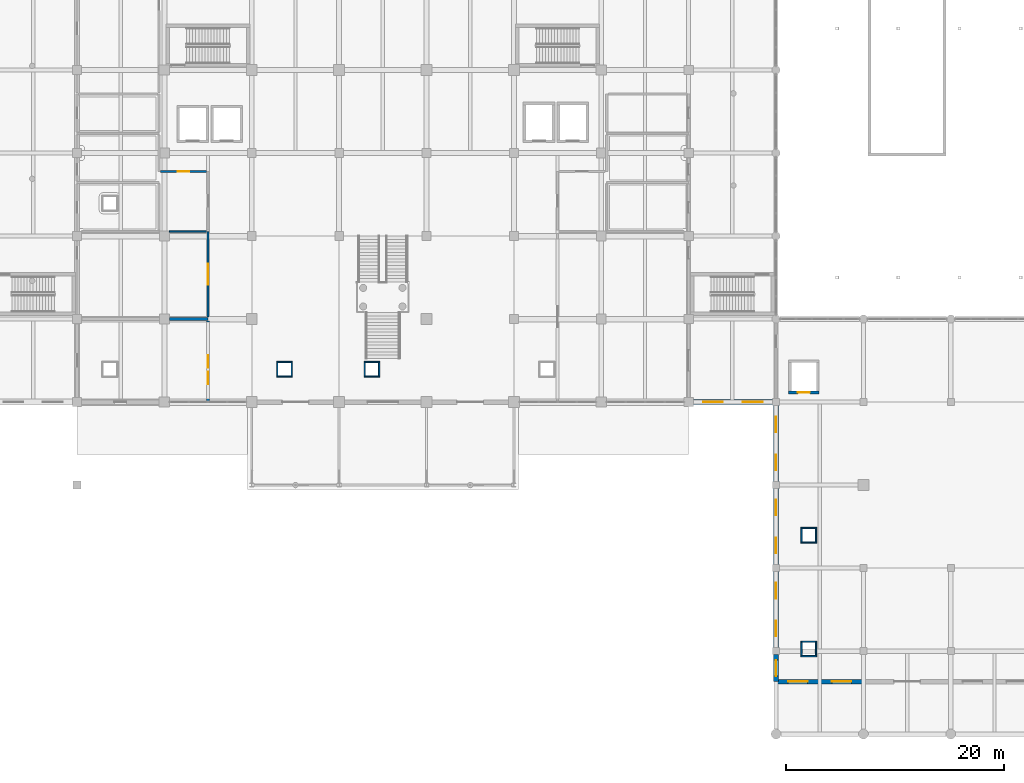
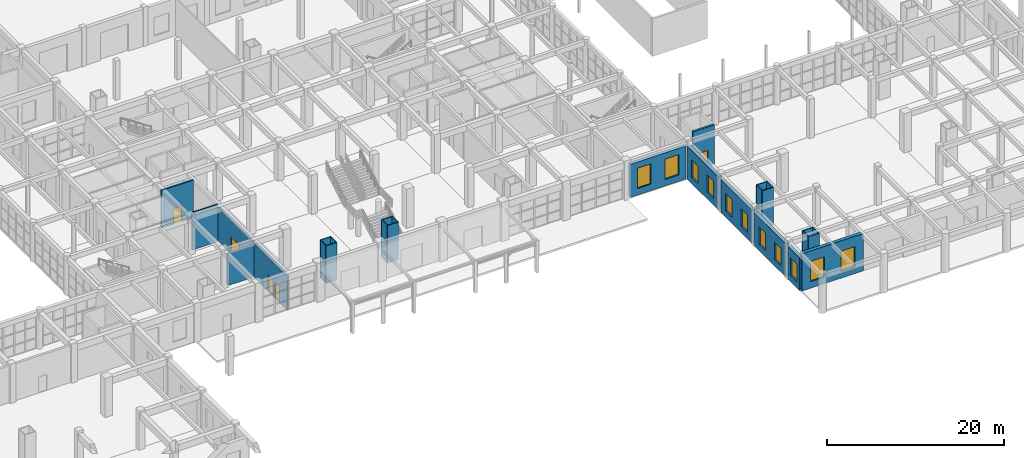
# One storey, part 72 of 95: 28 walls, 11 windows, 5 doors, 16 openings.
"""IFC4 building model written with IfcOpenShell, lengths in metres."""

from ifc_helpers import new_model, si_unit, direction, frame, frame_2d, origin, place, context, subcontext, project, spatial, rectangle, extrude, material, layer, layer_set, type_object, element, fill, save


model = new_model("IFC4")

# Units and contexts
model_context = context("Model", 3, precision=1e-05, world=origin(), true_north=direction((0.0, 1.0)))
body_context = subcontext(model_context, "Body", "Model", "MODEL_VIEW")
ifc_project = project(units=[si_unit("LENGTHUNIT", "METRE"), si_unit("AREAUNIT", "SQUARE_METRE"), si_unit("VOLUMEUNIT", "CUBIC_METRE"), si_unit("PLANEANGLEUNIT", "RADIAN"), si_unit("MASSUNIT", "GRAM", prefix="KILO")], contexts=[model_context])

# Site, building, storey
site_placement = place(None, origin())
site = spatial("IfcSite", under=ifc_project, at=site_placement, CompositionType="ELEMENT")
building_placement = place(site_placement, origin())
building = spatial("IfcBuilding", under=site, at=building_placement, Name="Zantavel Square City Hall", CompositionType="ELEMENT")
storey_placement = place(building_placement, origin())
storey = spatial("IfcBuildingStorey", under=building, at=storey_placement, Name="L01", CompositionType="ELEMENT", Elevation=0.0)

# Wall
ifc_material_1 = material(Name="Concrete C35/45", Category="concrete")
ifc_layer_1 = layer(ifc_material_1, 0.280029296875, Name="Concrete C35/45")
ifc_layer_set_1 = layer_set([ifc_layer_1], Name="Concrete C35/45")
wall_type_1 = type_object("IfcWallType", Name="Archive & Substation Vault Wall 280mm", PredefinedType="STANDARD", material=ifc_layer_set_1)
wall_1_placement = place(storey_placement, frame((64.4599609375, 38.0, 0.0), z_axis=(0.0, 0.0, 1.0), x_axis=(1.0, 0.0, 0.0)))
element("IfcWall", 1, at=wall_1_placement, inside=storey, type_object=wall_type_1, Name="L01 Interior Wall IW-L01-0120", PredefinedType="STANDARD", context=body_context, shape_type="SweptSolid", body=[
    extrude(rectangle(XDim=3.5400390625, YDim=0.280029296875, at=frame_2d((1.77001953125, 0.0))), origin(), (0.0, 0.0, 1.0), 4.360107421875),
])

# Wall, openings, doors
wall_2_placement = place(storey_placement, frame((68.0, 37.81005859375, 0.0), z_axis=(0.0, 0.0, 1.0), x_axis=(0.0, -1.0, 0.0)))
wall_2 = element("IfcWall", 2, at=wall_2_placement, inside=storey, type_object=wall_type_1, Name="L01 Interior Wall IW-L01-0122", PredefinedType="STANDARD", context=body_context, shape_type="SweptSolid", body=[
    extrude(rectangle(XDim=7.41015625, YDim=0.280029296875, at=frame_2d((3.705078125, 0.0))), origin(), (0.0, 0.0, 1.0), 4.659912109375),
])
opening_1_placement = place(wall_2_placement, frame((3.1298828125, 0.0, 0.0)))
opening_1 = element("IfcOpeningElement", 3, at=opening_1_placement, cuts=wall_2, Name="Opening D-0046", PredefinedType="OPENING", context=body_context, shape_type="SweptSolid", body=[
    extrude(rectangle(XDim=1.14990234375, YDim=2.199951171875, at=frame_2d((0.574951171875, 1.10009765625))), frame((0.0, 0.14990234375, 0.0), z_axis=(0.0, -1.0, 0.0), x_axis=(1.0, 0.0, 0.0)), (0.0, 0.0, 1.0), 0.300048828125),
])
opening_2_placement = place(wall_2_placement, frame((4.6298828125, 0.0, 0.0)))
opening_2 = element("IfcOpeningElement", 4, at=opening_2_placement, cuts=wall_2, Name="Opening D-0069", PredefinedType="OPENING", context=body_context, shape_type="SweptSolid", body=[
    extrude(rectangle(XDim=1.14990234375, YDim=2.199951171875, at=frame_2d((0.574951171875, 1.10009765625))), frame((0.0, 0.14990234375, 0.0), z_axis=(0.0, -1.0, 0.0), x_axis=(1.0, 0.0, 0.0)), (0.0, 0.0, 1.0), 0.300048828125),
])
ifc_material_2 = material(Name="Steel ASTM A500 Grade B", Category="steel")
door_type_1 = type_object("IfcDoorType", Name="Archive & Plant Fire Door 1150x2200 FD90S", OperationType="NOTDEFINED", PredefinedType="DOOR", material=ifc_material_2)
door_1_placement = place(opening_1_placement, origin())
door_1 = element("IfcDoor", 5, at=door_1_placement, inside=storey, type_object=door_type_1, Name="L01 Fire Control Room Door", OperationType="SINGLE_SWING_RIGHT", OverallHeight=2.199951171875, OverallWidth=1.14990234375, PredefinedType="DOOR", context=body_context, shape_type="SweptSolid", body=[
    extrude(rectangle(XDim=1.14990234375, YDim=2.199951171875, at=frame_2d((0.574951171875, 1.10009765625))), frame((0.0, 0.02490234375, 0.0), z_axis=(0.0, -1.0, 0.0), x_axis=(1.0, 0.0, 0.0)), (0.0, 0.0, 1.0), 0.050048828125),
])
fill(opening_1, door_1)
door_2_placement = place(opening_2_placement, origin())
door_2 = element("IfcDoor", 6, at=door_2_placement, inside=storey, type_object=door_type_1, Name="L01 Fire Control Room Door", OperationType="SINGLE_SWING_LEFT", OverallHeight=2.199951171875, OverallWidth=1.14990234375, PredefinedType="DOOR", context=body_context, shape_type="SweptSolid", body=[
    extrude(rectangle(XDim=1.14990234375, YDim=2.199951171875, at=frame_2d((0.574951171875, 1.10009765625))), frame((0.0, 0.02490234375, 0.0), z_axis=(0.0, -1.0, 0.0), x_axis=(1.0, 0.0, 0.0)), (0.0, 0.0, 1.0), 0.050048828125),
])
fill(opening_2, door_2)

# Wall
ifc_material_3 = material(Name="Gypsum acoustic stud assembly", Category="masonry")
ifc_layer_2 = layer(ifc_material_3, 0.14990234375, Name="Gypsum acoustic stud assembly")
ifc_layer_set_2 = layer_set([ifc_layer_2], Name="Gypsum acoustic stud assembly")
wall_type_2 = type_object("IfcWallType", Name="Department Office Partition 150mm", PredefinedType="PARTITIONING", material=ifc_layer_set_2)
wall_3_placement = place(storey_placement, frame((64.4599609375, 46.0, 0.0), z_axis=(0.0, 0.0, 1.0), x_axis=(1.0, 0.0, 0.0)))
element("IfcWall", 7, at=wall_3_placement, inside=storey, type_object=wall_type_2, Name="L01 Interior Wall IW-L01-0125", PredefinedType="PARTITIONING", context=body_context, shape_type="SweptSolid", body=[
    extrude(rectangle(XDim=3.39013671875, YDim=0.14990234375, at=frame_2d((1.695068359375, 0.0))), origin(), (0.0, 0.0, 1.0), 5.159912109375),
])

# Wall, opening, door
ifc_material_4 = material(Name="Cantera volcanic tuff stone", Category="masonry")
ifc_layer_3 = layer(ifc_material_4, 0.199951171875, Name="Cantera volcanic tuff stone")
ifc_layer_set_3 = layer_set([ifc_layer_3], Name="Cantera volcanic tuff stone")
wall_type_3 = type_object("IfcWallType", Name="Exit Corridor Rated Wall 200mm", PredefinedType="STANDARD", material=ifc_layer_set_3)
wall_4_placement = place(storey_placement, frame((68.0, 46.0, 0.0), z_axis=(0.0, 0.0, 1.0), x_axis=(0.0, -1.0, 0.0)))
wall_4 = element("IfcWall", 8, at=wall_4_placement, inside=storey, type_object=wall_type_3, Name="L01 Interior Wall IW-L01-0124", PredefinedType="STANDARD", context=body_context, shape_type="SweptSolid", body=[
    extrude(rectangle(XDim=7.81005859375, YDim=0.199951171875, at=frame_2d((3.905029296875, 0.0))), origin(), (0.0, 0.0, 1.0), 4.659912109375),
])
opening_3_placement = place(wall_4_placement, frame((2.955078125, 0.0, 0.0)))
opening_3 = element("IfcOpeningElement", 9, at=opening_3_placement, cuts=wall_4, Name="Opening D-0048", PredefinedType="OPENING", context=body_context, shape_type="SweptSolid", body=[
    extrude(rectangle(XDim=1.89990234375, YDim=2.39990234375, at=frame_2d((0.949951171875, 1.199951171875))), frame((0.0, 0.10986328125, 0.0), z_axis=(0.0, -1.0, 0.0), x_axis=(1.0, 0.0, 0.0)), (0.0, 0.0, 1.0), 0.219970703125),
])
ifc_material_5 = material(Name="Solid oak hardwood", Category="wood")
door_type_2 = type_object("IfcDoorType", Name="Civic Hall Oak Fire Double Door 1900x2400 FD60S", OperationType="NOTDEFINED", PredefinedType="DOOR", material=ifc_material_5)
door_3_placement = place(opening_3_placement, origin())
door_3 = element("IfcDoor", 10, at=door_3_placement, inside=storey, type_object=door_type_2, Name="L01 Public Reception and Civic Security Hall Door", OperationType="DOUBLE_DOOR_SINGLE_SWING", OverallHeight=2.39990234375, OverallWidth=1.89990234375, PredefinedType="DOOR", context=body_context, shape_type="SweptSolid", body=[
    extrude(rectangle(XDim=1.89990234375, YDim=2.39990234375, at=frame_2d((0.949951171875, 1.199951171875))), frame((0.0, 0.02490234375, 0.0), z_axis=(0.0, -1.0, 0.0), x_axis=(1.0, 0.0, 0.0)), (0.0, 0.0, 1.0), 0.050048828125),
])
fill(opening_3, door_3)

wall_5_placement = place(storey_placement, frame((67.85009765625, 51.5, 0.0), z_axis=(0.0, 0.0, 1.0), x_axis=(-1.0, 0.0, 0.0)))
wall_5 = element("IfcWall", 11, at=wall_5_placement, inside=storey, type_object=wall_type_3, Name="L01 Interior Wall IW-L01-0154", PredefinedType="STANDARD", context=body_context, shape_type="SweptSolid", body=[
    extrude(rectangle(XDim=4.2001953125, YDim=0.199951171875, at=frame_2d((2.10009765625, 0.0))), origin(), (0.0, 0.0, 1.0), 5.159912109375),
])
opening_4_placement = place(wall_5_placement, frame((1.574951171875, 0.0, 0.0)))
opening_4 = element("IfcOpeningElement", 12, at=opening_4_placement, cuts=wall_5, Name="Opening D-0061", PredefinedType="OPENING", context=body_context, shape_type="SweptSolid", body=[
    extrude(rectangle(XDim=1.050048828125, YDim=2.14990234375, at=frame_2d((0.52490234375, 1.074951171875))), frame((0.0, 0.10986328125, 0.0), z_axis=(0.0, -1.0, 0.0), x_axis=(1.0, 0.0, 0.0)), (0.0, 0.0, 1.0), 0.219970703125),
])
door_type_3 = type_object("IfcDoorType", Name="Corridor Office Oak Fire Door 1050x2150 FD60S", OperationType="NOTDEFINED", PredefinedType="DOOR", material=ifc_material_5)
door_4_placement = place(opening_4_placement, origin())
door_4 = element("IfcDoor", 13, at=door_4_placement, inside=storey, type_object=door_type_3, Name="L01 L01 Municipal Support Office 7 Door", OperationType="SINGLE_SWING_LEFT", OverallHeight=2.14990234375, OverallWidth=1.050048828125, PredefinedType="DOOR", context=body_context, shape_type="SweptSolid", body=[
    extrude(rectangle(XDim=1.050048828125, YDim=2.14990234375, at=frame_2d((0.52490234375, 1.074951171875))), frame((0.0, 0.02490234375, 0.0), z_axis=(0.0, -1.0, 0.0), x_axis=(1.0, 0.0, 0.0)), (0.0, 0.0, 1.0), 0.050048828125),
])
fill(opening_4, door_4)

ifc_material_6 = material(Name="Concrete C40/50", Category="concrete")
ifc_layer_4 = layer(ifc_material_6, 0.25, Name="Concrete C40/50")
ifc_layer_set_4 = layer_set([ifc_layer_4], Name="Concrete C40/50")
wall_type_4 = type_object("IfcWallType", Name="Lift Shaft Wall RC 250mm C40/50", PredefinedType="SHEAR", material=ifc_layer_set_4)
wall_6_placement = place(storey_placement, frame((123.949951171875, 31.27490234375, 0.0), z_axis=(0.0, 0.0, 1.0), x_axis=(-1.0, 0.0, 0.0)))
wall_6 = element("IfcWall", 14, at=wall_6_placement, inside=storey, type_object=wall_type_4, Name="L01 Lift LF07 Shaft Wall South", PredefinedType="SHEAR", context=body_context, shape_type="SweptSolid", body=[
    extrude(rectangle(XDim=2.800048828125, YDim=0.25, at=frame_2d((1.39990234375, 0.0))), origin(), (0.0, 0.0, 1.0), 5.39990234375),
])
opening_5_placement = place(wall_6_placement, frame((0.85009765625, 0.0, 0.0)))
opening_5 = element("IfcOpeningElement", 15, at=opening_5_placement, cuts=wall_6, Name="Opening LD-LF07-L01", PredefinedType="OPENING", context=body_context, shape_type="SweptSolid", body=[
    extrude(rectangle(XDim=1.10009765625, YDim=2.14990234375, at=frame_2d((0.550048828125, 1.074951171875))), frame((0.0, 0.135009765625, 0.0), z_axis=(0.0, -1.0, 0.0), x_axis=(1.0, 0.0, 0.0)), (0.0, 0.0, 1.0), 0.27001953125),
])
ifc_material_7 = material(Name="Stainless steel 316", Category="steel")
door_type_4 = type_object("IfcDoorType", Name="Lift Landing Sliding Door 1100x2150 FD90S", OperationType="NOTDEFINED", PredefinedType="DOOR", material=ifc_material_7)
door_5_placement = place(opening_5_placement, origin())
door_5 = element("IfcDoor", 16, at=door_5_placement, inside=storey, type_object=door_type_4, Name="L01 Lift LF07 Sliding Landing Door", OperationType="DOUBLE_DOOR_SLIDING", OverallHeight=2.14990234375, OverallWidth=1.10009765625, PredefinedType="DOOR", context=body_context, shape_type="SweptSolid", body=[
    extrude(rectangle(XDim=1.10009765625, YDim=2.14990234375, at=frame_2d((0.550048828125, 1.074951171875))), frame((0.0, 0.02490234375, 0.0), z_axis=(0.0, -1.0, 0.0), x_axis=(1.0, 0.0, 0.0)), (0.0, 0.0, 1.0), 0.050048828125),
])
fill(opening_5, door_5)

# Walls
ifc_layer_5 = layer(ifc_material_1, 0.1201171875, Name="Concrete C35/45")
ifc_layer_set_5 = layer_set([ifc_layer_5], Name="Concrete C35/45")
wall_type_5 = type_object("IfcWallType", Name="Riser Chase Wall RC 120mm C35/45", PredefinedType="PARTITIONING", material=ifc_layer_set_5)
wall_7_placement = place(storey_placement, frame((75.719970703125, 32.739990234375, 0.0), z_axis=(0.0, 0.0, 1.0), x_axis=(-1.0, 0.0, 0.0)))
element("IfcWall", 17, at=wall_7_placement, inside=storey, type_object=wall_type_5, Name="L01 MEP Riser 02 Wall S", PredefinedType="PARTITIONING", context=body_context, shape_type="SweptSolid", body=[
    extrude(rectangle(XDim=1.43994140625, YDim=0.1201171875, at=frame_2d((0.719970703125, 0.0))), origin(), (0.0, 0.0, 1.0), 5.159912109375),
])
wall_8_placement = place(storey_placement, frame((74.340087890625, 32.800048828125, 0.0), z_axis=(0.0, 0.0, 1.0), x_axis=(0.0, 1.0, 0.0)))
element("IfcWall", 18, at=wall_8_placement, inside=storey, type_object=wall_type_5, Name="L01 MEP Riser 02 Wall W", PredefinedType="PARTITIONING", context=body_context, shape_type="SweptSolid", body=[
    extrude(rectangle(XDim=1.199951171875, YDim=0.1201171875, at=frame_2d((0.60009765625, 0.0))), origin(), (0.0, 0.0, 1.0), 5.159912109375),
])
wall_9_placement = place(storey_placement, frame((74.280029296875, 34.06005859375, 0.0), z_axis=(0.0, 0.0, 1.0), x_axis=(1.0, 0.0, 0.0)))
element("IfcWall", 19, at=wall_9_placement, inside=storey, type_object=wall_type_5, Name="L01 MEP Riser 02 Wall N", PredefinedType="PARTITIONING", context=body_context, shape_type="SweptSolid", body=[
    extrude(rectangle(XDim=1.43994140625, YDim=0.1201171875, at=frame_2d((0.719970703125, 0.0))), origin(), (0.0, 0.0, 1.0), 5.159912109375),
])
wall_10_placement = place(storey_placement, frame((75.659912109375, 34.0, 0.0), z_axis=(0.0, 0.0, 1.0), x_axis=(0.0, -1.0, 0.0)))
element("IfcWall", 20, at=wall_10_placement, inside=storey, type_object=wall_type_5, Name="L01 MEP Riser 02 Wall E", PredefinedType="PARTITIONING", context=body_context, shape_type="SweptSolid", body=[
    extrude(rectangle(XDim=1.199951171875, YDim=0.1201171875, at=frame_2d((0.60009765625, 0.0))), origin(), (0.0, 0.0, 1.0), 5.159912109375),
])
wall_11_placement = place(storey_placement, frame((83.719970703125, 32.739990234375, 0.0), z_axis=(0.0, 0.0, 1.0), x_axis=(-1.0, 0.0, 0.0)))
element("IfcWall", 21, at=wall_11_placement, inside=storey, type_object=wall_type_5, Name="L01 MEP Riser 03 Wall S", PredefinedType="PARTITIONING", context=body_context, shape_type="SweptSolid", body=[
    extrude(rectangle(XDim=1.43994140625, YDim=0.1201171875, at=frame_2d((0.719970703125, 0.0))), origin(), (0.0, 0.0, 1.0), 5.159912109375),
])
wall_12_placement = place(storey_placement, frame((82.340087890625, 32.800048828125, 0.0), z_axis=(0.0, 0.0, 1.0), x_axis=(0.0, 1.0, 0.0)))
element("IfcWall", 22, at=wall_12_placement, inside=storey, type_object=wall_type_5, Name="L01 MEP Riser 03 Wall W", PredefinedType="PARTITIONING", context=body_context, shape_type="SweptSolid", body=[
    extrude(rectangle(XDim=1.199951171875, YDim=0.1201171875, at=frame_2d((0.60009765625, 0.0))), origin(), (0.0, 0.0, 1.0), 5.159912109375),
])
wall_13_placement = place(storey_placement, frame((82.280029296875, 34.06005859375, 0.0), z_axis=(0.0, 0.0, 1.0), x_axis=(1.0, 0.0, 0.0)))
element("IfcWall", 23, at=wall_13_placement, inside=storey, type_object=wall_type_5, Name="L01 MEP Riser 03 Wall N", PredefinedType="PARTITIONING", context=body_context, shape_type="SweptSolid", body=[
    extrude(rectangle(XDim=1.43994140625, YDim=0.1201171875, at=frame_2d((0.719970703125, 0.0))), origin(), (0.0, 0.0, 1.0), 5.159912109375),
])
wall_14_placement = place(storey_placement, frame((83.659912109375, 34.0, 0.0), z_axis=(0.0, 0.0, 1.0), x_axis=(0.0, -1.0, 0.0)))
element("IfcWall", 24, at=wall_14_placement, inside=storey, type_object=wall_type_5, Name="L01 MEP Riser 03 Wall E", PredefinedType="PARTITIONING", context=body_context, shape_type="SweptSolid", body=[
    extrude(rectangle(XDim=1.199951171875, YDim=0.1201171875, at=frame_2d((0.60009765625, 0.0))), origin(), (0.0, 0.0, 1.0), 5.159912109375),
])
wall_15_placement = place(storey_placement, frame((123.719970703125, 7.139892578125, 0.0), z_axis=(0.0, 0.0, 1.0), x_axis=(-1.0, 0.0, 0.0)))
element("IfcWall", 25, at=wall_15_placement, inside=storey, type_object=wall_type_5, Name="L01 MEP Riser 06 Wall S", PredefinedType="PARTITIONING", context=body_context, shape_type="SweptSolid", body=[
    extrude(rectangle(XDim=1.43994140625, YDim=0.1201171875, at=frame_2d((0.719970703125, 0.0))), origin(), (0.0, 0.0, 1.0), 5.14990234375),
])
wall_16_placement = place(storey_placement, frame((122.340087890625, 7.199951171875, 0.0), z_axis=(0.0, 0.0, 1.0), x_axis=(0.0, 1.0, 0.0)))
element("IfcWall", 26, at=wall_16_placement, inside=storey, type_object=wall_type_5, Name="L01 MEP Riser 06 Wall W", PredefinedType="PARTITIONING", context=body_context, shape_type="SweptSolid", body=[
    extrude(rectangle(XDim=1.199951171875, YDim=0.1201171875, at=frame_2d((0.60009765625, 0.0))), origin(), (0.0, 0.0, 1.0), 5.14990234375),
])
wall_17_placement = place(storey_placement, frame((122.280029296875, 8.4599609375, 0.0), z_axis=(0.0, 0.0, 1.0), x_axis=(1.0, 0.0, 0.0)))
element("IfcWall", 27, at=wall_17_placement, inside=storey, type_object=wall_type_5, Name="L01 MEP Riser 06 Wall N", PredefinedType="PARTITIONING", context=body_context, shape_type="SweptSolid", body=[
    extrude(rectangle(XDim=1.43994140625, YDim=0.1201171875, at=frame_2d((0.719970703125, 0.0))), origin(), (0.0, 0.0, 1.0), 5.159912109375),
])
wall_18_placement = place(storey_placement, frame((123.659912109375, 8.39990234375, 0.0), z_axis=(0.0, 0.0, 1.0), x_axis=(0.0, -1.0, 0.0)))
element("IfcWall", 28, at=wall_18_placement, inside=storey, type_object=wall_type_5, Name="L01 MEP Riser 06 Wall E", PredefinedType="PARTITIONING", context=body_context, shape_type="SweptSolid", body=[
    extrude(rectangle(XDim=1.199951171875, YDim=0.1201171875, at=frame_2d((0.60009765625, 0.0))), origin(), (0.0, 0.0, 1.0), 5.14990234375),
])
wall_19_placement = place(storey_placement, frame((123.719970703125, 17.5400390625, 0.0), z_axis=(0.0, 0.0, 1.0), x_axis=(-1.0, 0.0, 0.0)))
element("IfcWall", 29, at=wall_19_placement, inside=storey, type_object=wall_type_5, Name="L01 MEP Riser 08 Wall S", PredefinedType="PARTITIONING", context=body_context, shape_type="SweptSolid", body=[
    extrude(rectangle(XDim=1.43994140625, YDim=0.1201171875, at=frame_2d((0.719970703125, 0.0))), origin(), (0.0, 0.0, 1.0), 5.159912109375),
])
wall_20_placement = place(storey_placement, frame((122.340087890625, 17.60009765625, 0.0), z_axis=(0.0, 0.0, 1.0), x_axis=(0.0, 1.0, 0.0)))
element("IfcWall", 30, at=wall_20_placement, inside=storey, type_object=wall_type_5, Name="L01 MEP Riser 08 Wall W", PredefinedType="PARTITIONING", context=body_context, shape_type="SweptSolid", body=[
    extrude(rectangle(XDim=1.199951171875, YDim=0.1201171875, at=frame_2d((0.60009765625, 0.0))), origin(), (0.0, 0.0, 1.0), 5.159912109375),
])
wall_21_placement = place(storey_placement, frame((122.280029296875, 18.860107421875, 0.0), z_axis=(0.0, 0.0, 1.0), x_axis=(1.0, 0.0, 0.0)))
element("IfcWall", 31, at=wall_21_placement, inside=storey, type_object=wall_type_5, Name="L01 MEP Riser 08 Wall N", PredefinedType="PARTITIONING", context=body_context, shape_type="SweptSolid", body=[
    extrude(rectangle(XDim=1.43994140625, YDim=0.1201171875, at=frame_2d((0.719970703125, 0.0))), origin(), (0.0, 0.0, 1.0), 5.159912109375),
])
wall_22_placement = place(storey_placement, frame((123.659912109375, 18.800048828125, 0.0), z_axis=(0.0, 0.0, 1.0), x_axis=(0.0, -1.0, 0.0)))
element("IfcWall", 32, at=wall_22_placement, inside=storey, type_object=wall_type_5, Name="L01 MEP Riser 08 Wall E", PredefinedType="PARTITIONING", context=body_context, shape_type="SweptSolid", body=[
    extrude(rectangle(XDim=1.199951171875, YDim=0.1201171875, at=frame_2d((0.60009765625, 0.0))), origin(), (0.0, 0.0, 1.0), 5.159912109375),
])

# Wall, openings, windows
ifc_material_8 = material(Name="Tezontle volcanic basaltic scoria stone", Category="masonry")
ifc_layer_6 = layer(ifc_material_8, 0.43994140625, Name="Tezontle volcanic basaltic scoria stone")
ifc_layer_set_6 = layer_set([ifc_layer_6], Name="Tezontle volcanic basaltic scoria stone")
wall_type_6 = type_object("IfcWallType", Name="Tezontle Rusticated Plinth Wall 440mm", PredefinedType="STANDARD", material=ifc_layer_set_6)
wall_23_placement = place(storey_placement, frame((128.0, 4.800048828125, 0.0), z_axis=(0.0, 0.0, 1.0), x_axis=(-1.0, 0.0, 0.0)))
wall_23 = element("IfcWall", 33, at=wall_23_placement, inside=storey, type_object=wall_type_6, Name="L01 Exterior Wall EW-L01-069", PredefinedType="STANDARD", context=body_context, shape_type="SweptSolid", body=[
    extrude(rectangle(XDim=8.0, YDim=0.43994140625, at=frame_2d((4.0, 0.0))), origin(), (0.0, 0.0, 1.0), 5.1201171875),
])
opening_6_placement = place(wall_23_placement, frame((1.10009765625, 0.0, 0.89990234375)))
opening_6 = element("IfcOpeningElement", 34, at=opening_6_placement, cuts=wall_23, Name="Opening W-103", PredefinedType="OPENING", context=body_context, shape_type="SweptSolid", body=[
    extrude(rectangle(XDim=1.800048828125, YDim=2.800048828125, at=frame_2d((0.89990234375, 1.39990234375))), frame((0.0, 0.22998046875, 0.0), z_axis=(0.0, -1.0, 0.0), x_axis=(1.0, 0.0, 0.0)), (0.0, 0.0, 1.0), 0.4599609375),
])
opening_7_placement = place(wall_23_placement, frame((5.10009765625, 0.0, 0.89990234375)))
opening_7 = element("IfcOpeningElement", 35, at=opening_7_placement, cuts=wall_23, Name="Opening W-104", PredefinedType="OPENING", context=body_context, shape_type="SweptSolid", body=[
    extrude(rectangle(XDim=1.800048828125, YDim=2.800048828125, at=frame_2d((0.89990234375, 1.39990234375))), frame((0.0, 0.22998046875, 0.0), z_axis=(0.0, -1.0, 0.0), x_axis=(1.0, 0.0, 0.0)), (0.0, 0.0, 1.0), 0.4599609375),
])
ifc_material_9 = material(Name="Tempered safety glass low-E double glazing", Category="glass")
window_type_1 = type_object("IfcWindowType", Name="Window Portales Grand Arch 1800x2800", PartitioningType="DOUBLE_PANEL_VERTICAL", PredefinedType="WINDOW", material=ifc_material_9)
window_1_placement = place(opening_6_placement, origin())
window_1 = element("IfcWindow", 36, at=window_1_placement, inside=storey, type_object=window_type_1, Name="L01 Window W-103", OverallHeight=2.800048828125, OverallWidth=1.800048828125, PartitioningType="DOUBLE_PANEL_VERTICAL", PredefinedType="WINDOW", context=body_context, shape_type="SweptSolid", body=[
    extrude(rectangle(XDim=1.800048828125, YDim=2.800048828125, at=frame_2d((0.89990234375, 1.39990234375))), frame((0.0, 0.030029296875, 0.0), z_axis=(0.0, -1.0, 0.0), x_axis=(1.0, 0.0, 0.0)), (0.0, 0.0, 1.0), 0.06005859375),
])
fill(opening_6, window_1)
window_2_placement = place(opening_7_placement, origin())
window_2 = element("IfcWindow", 37, at=window_2_placement, inside=storey, type_object=window_type_1, Name="L01 Window W-104", OverallHeight=2.800048828125, OverallWidth=1.800048828125, PartitioningType="DOUBLE_PANEL_VERTICAL", PredefinedType="WINDOW", context=body_context, shape_type="SweptSolid", body=[
    extrude(rectangle(XDim=1.800048828125, YDim=2.800048828125, at=frame_2d((0.89990234375, 1.39990234375))), frame((0.0, 0.030029296875, 0.0), z_axis=(0.0, -1.0, 0.0), x_axis=(1.0, 0.0, 0.0)), (0.0, 0.0, 1.0), 0.06005859375),
])
fill(opening_7, window_2)

# Wall, opening, window
wall_24_placement = place(storey_placement, frame((120.0, 4.800048828125, 0.0), z_axis=(0.0, 0.0, 1.0), x_axis=(0.0, 1.0, 0.0)))
wall_24 = element("IfcWall", 38, at=wall_24_placement, inside=storey, type_object=wall_type_6, Name="L01 Exterior Wall EW-L01-070", PredefinedType="STANDARD", context=body_context, shape_type="SweptSolid", body=[
    extrude(rectangle(XDim=2.474853515625, YDim=0.43994140625, at=frame_2d((1.2373046875, 0.0))), origin(), (0.0, 0.0, 1.0), 4.570068359375),
])
opening_8_placement = place(wall_24_placement, frame((0.512451171875, 0.0, 0.89990234375)))
opening_8 = element("IfcOpeningElement", 39, at=opening_8_placement, cuts=wall_24, Name="Opening W-105", PredefinedType="OPENING", context=body_context, shape_type="SweptSolid", body=[
    extrude(rectangle(XDim=1.449951171875, YDim=2.39990234375, at=frame_2d((0.72509765625, 1.199951171875))), frame((0.0, 0.22998046875, 0.0), z_axis=(0.0, -1.0, 0.0), x_axis=(1.0, 0.0, 0.0)), (0.0, 0.0, 1.0), 0.4599609375),
])
window_type_2 = type_object("IfcWindowType", Name="Window Ground Courtyard 1450x2400", PartitioningType="DOUBLE_PANEL_VERTICAL", PredefinedType="WINDOW", material=ifc_material_9)
window_3_placement = place(opening_8_placement, origin())
window_3 = element("IfcWindow", 40, at=window_3_placement, inside=storey, type_object=window_type_2, Name="L01 Window W-105", OverallHeight=2.39990234375, OverallWidth=1.449951171875, PartitioningType="DOUBLE_PANEL_VERTICAL", PredefinedType="WINDOW", context=body_context, shape_type="SweptSolid", body=[
    extrude(rectangle(XDim=1.449951171875, YDim=2.39990234375, at=frame_2d((0.72509765625, 1.199951171875))), frame((0.0, 0.030029296875, 0.0), z_axis=(0.0, -1.0, 0.0), x_axis=(1.0, 0.0, 0.0)), (0.0, 0.0, 1.0), 0.06005859375),
])
fill(opening_8, window_3)

# Wall, openings, windows
wall_25_placement = place(storey_placement, frame((120.0, 7.925048828125, 0.0), z_axis=(0.0, 0.0, 1.0), x_axis=(0.0, 1.0, 0.0)))
wall_25 = element("IfcWall", 41, at=wall_25_placement, inside=storey, type_object=wall_type_6, Name="L01 Exterior Wall EW-L01-071", PredefinedType="STANDARD", context=body_context, shape_type="SweptSolid", body=[
    extrude(rectangle(XDim=6.949951171875, YDim=0.43994140625, at=frame_2d((3.47509765625, 0.0))), origin(), (0.0, 0.0, 1.0), 4.580078125),
])
opening_9_placement = place(wall_25_placement, frame((1.012451171875, 0.0, 0.89990234375)))
opening_9 = element("IfcOpeningElement", 42, at=opening_9_placement, cuts=wall_25, Name="Opening W-106", PredefinedType="OPENING", context=body_context, shape_type="SweptSolid", body=[
    extrude(rectangle(XDim=1.449951171875, YDim=2.39990234375, at=frame_2d((0.72509765625, 1.199951171875))), frame((0.0, 0.22998046875, 0.0), z_axis=(0.0, -1.0, 0.0), x_axis=(1.0, 0.0, 0.0)), (0.0, 0.0, 1.0), 0.4599609375),
])
opening_10_placement = place(wall_25_placement, frame((4.487548828125, 0.0, 0.89990234375)))
opening_10 = element("IfcOpeningElement", 43, at=opening_10_placement, cuts=wall_25, Name="Opening W-107", PredefinedType="OPENING", context=body_context, shape_type="SweptSolid", body=[
    extrude(rectangle(XDim=1.449951171875, YDim=2.39990234375, at=frame_2d((0.72509765625, 1.199951171875))), frame((0.0, 0.22998046875, 0.0), z_axis=(0.0, -1.0, 0.0), x_axis=(1.0, 0.0, 0.0)), (0.0, 0.0, 1.0), 0.4599609375),
])
window_4_placement = place(opening_9_placement, origin())
window_4 = element("IfcWindow", 44, at=window_4_placement, inside=storey, type_object=window_type_2, Name="L01 Window W-106", OverallHeight=2.39990234375, OverallWidth=1.449951171875, PartitioningType="DOUBLE_PANEL_VERTICAL", PredefinedType="WINDOW", context=body_context, shape_type="SweptSolid", body=[
    extrude(rectangle(XDim=1.449951171875, YDim=2.39990234375, at=frame_2d((0.72509765625, 1.199951171875))), frame((0.0, 0.030029296875, 0.0), z_axis=(0.0, -1.0, 0.0), x_axis=(1.0, 0.0, 0.0)), (0.0, 0.0, 1.0), 0.06005859375),
])
fill(opening_9, window_4)
window_5_placement = place(opening_10_placement, origin())
window_5 = element("IfcWindow", 45, at=window_5_placement, inside=storey, type_object=window_type_2, Name="L01 Window W-107", OverallHeight=2.39990234375, OverallWidth=1.449951171875, PartitioningType="DOUBLE_PANEL_VERTICAL", PredefinedType="WINDOW", context=body_context, shape_type="SweptSolid", body=[
    extrude(rectangle(XDim=1.449951171875, YDim=2.39990234375, at=frame_2d((0.72509765625, 1.199951171875))), frame((0.0, 0.030029296875, 0.0), z_axis=(0.0, -1.0, 0.0), x_axis=(1.0, 0.0, 0.0)), (0.0, 0.0, 1.0), 0.06005859375),
])
fill(opening_10, window_5)

wall_26_placement = place(storey_placement, frame((120.0, 15.52490234375, 0.0), z_axis=(0.0, 0.0, 1.0), x_axis=(0.0, 1.0, 0.0)))
wall_26 = element("IfcWall", 46, at=wall_26_placement, inside=storey, type_object=wall_type_6, Name="L01 Exterior Wall EW-L01-072", PredefinedType="STANDARD", context=body_context, shape_type="SweptSolid", body=[
    extrude(rectangle(XDim=6.9501953125, YDim=0.43994140625, at=frame_2d((3.47509765625, 0.0))), origin(), (0.0, 0.0, 1.0), 4.580078125),
])
opening_11_placement = place(wall_26_placement, frame((1.012451171875, 0.0, 0.89990234375)))
opening_11 = element("IfcOpeningElement", 47, at=opening_11_placement, cuts=wall_26, Name="Opening W-108", PredefinedType="OPENING", context=body_context, shape_type="SweptSolid", body=[
    extrude(rectangle(XDim=1.449951171875, YDim=2.39990234375, at=frame_2d((0.72509765625, 1.199951171875))), frame((0.0, 0.22998046875, 0.0), z_axis=(0.0, -1.0, 0.0), x_axis=(1.0, 0.0, 0.0)), (0.0, 0.0, 1.0), 0.4599609375),
])
opening_12_placement = place(wall_26_placement, frame((4.487548828125, 0.0, 0.89990234375)))
opening_12 = element("IfcOpeningElement", 48, at=opening_12_placement, cuts=wall_26, Name="Opening W-109", PredefinedType="OPENING", context=body_context, shape_type="SweptSolid", body=[
    extrude(rectangle(XDim=1.449951171875, YDim=2.39990234375, at=frame_2d((0.72509765625, 1.199951171875))), frame((0.0, 0.22998046875, 0.0), z_axis=(0.0, -1.0, 0.0), x_axis=(1.0, 0.0, 0.0)), (0.0, 0.0, 1.0), 0.4599609375),
])
window_6_placement = place(opening_11_placement, origin())
window_6 = element("IfcWindow", 49, at=window_6_placement, inside=storey, type_object=window_type_2, Name="L01 Window W-108", OverallHeight=2.39990234375, OverallWidth=1.449951171875, PartitioningType="DOUBLE_PANEL_VERTICAL", PredefinedType="WINDOW", context=body_context, shape_type="SweptSolid", body=[
    extrude(rectangle(XDim=1.449951171875, YDim=2.39990234375, at=frame_2d((0.72509765625, 1.199951171875))), frame((0.0, 0.030029296875, 0.0), z_axis=(0.0, -1.0, 0.0), x_axis=(1.0, 0.0, 0.0)), (0.0, 0.0, 1.0), 0.06005859375),
])
fill(opening_11, window_6)
window_7_placement = place(opening_12_placement, origin())
window_7 = element("IfcWindow", 50, at=window_7_placement, inside=storey, type_object=window_type_2, Name="L01 Window W-109", OverallHeight=2.39990234375, OverallWidth=1.449951171875, PartitioningType="DOUBLE_PANEL_VERTICAL", PredefinedType="WINDOW", context=body_context, shape_type="SweptSolid", body=[
    extrude(rectangle(XDim=1.449951171875, YDim=2.39990234375, at=frame_2d((0.72509765625, 1.199951171875))), frame((0.0, 0.030029296875, 0.0), z_axis=(0.0, -1.0, 0.0), x_axis=(1.0, 0.0, 0.0)), (0.0, 0.0, 1.0), 0.06005859375),
])
fill(opening_12, window_7)

wall_27_placement = place(storey_placement, frame((120.0, 23.125, 0.0), z_axis=(0.0, 0.0, 1.0), x_axis=(0.0, 1.0, 0.0)))
wall_27 = element("IfcWall", 51, at=wall_27_placement, inside=storey, type_object=wall_type_6, Name="L01 Exterior Wall EW-L01-073", PredefinedType="STANDARD", context=body_context, shape_type="SweptSolid", body=[
    extrude(rectangle(XDim=6.949951171875, YDim=0.43994140625, at=frame_2d((3.47509765625, 0.0))), origin(), (0.0, 0.0, 1.0), 4.580078125),
])
opening_13_placement = place(wall_27_placement, frame((1.012451171875, 0.0, 0.89990234375)))
opening_13 = element("IfcOpeningElement", 52, at=opening_13_placement, cuts=wall_27, Name="Opening W-110", PredefinedType="OPENING", context=body_context, shape_type="SweptSolid", body=[
    extrude(rectangle(XDim=1.449951171875, YDim=2.39990234375, at=frame_2d((0.72509765625, 1.199951171875))), frame((0.0, 0.22998046875, 0.0), z_axis=(0.0, -1.0, 0.0), x_axis=(1.0, 0.0, 0.0)), (0.0, 0.0, 1.0), 0.4599609375),
])
opening_14_placement = place(wall_27_placement, frame((4.487548828125, 0.0, 0.89990234375)))
opening_14 = element("IfcOpeningElement", 53, at=opening_14_placement, cuts=wall_27, Name="Opening W-111", PredefinedType="OPENING", context=body_context, shape_type="SweptSolid", body=[
    extrude(rectangle(XDim=1.449951171875, YDim=2.39990234375, at=frame_2d((0.72509765625, 1.199951171875))), frame((0.0, 0.22998046875, 0.0), z_axis=(0.0, -1.0, 0.0), x_axis=(1.0, 0.0, 0.0)), (0.0, 0.0, 1.0), 0.4599609375),
])
window_8_placement = place(opening_13_placement, origin())
window_8 = element("IfcWindow", 54, at=window_8_placement, inside=storey, type_object=window_type_2, Name="L01 Window W-110", OverallHeight=2.39990234375, OverallWidth=1.449951171875, PartitioningType="DOUBLE_PANEL_VERTICAL", PredefinedType="WINDOW", context=body_context, shape_type="SweptSolid", body=[
    extrude(rectangle(XDim=1.449951171875, YDim=2.39990234375, at=frame_2d((0.72509765625, 1.199951171875))), frame((0.0, 0.030029296875, 0.0), z_axis=(0.0, -1.0, 0.0), x_axis=(1.0, 0.0, 0.0)), (0.0, 0.0, 1.0), 0.06005859375),
])
fill(opening_13, window_8)
window_9_placement = place(opening_14_placement, origin())
window_9 = element("IfcWindow", 55, at=window_9_placement, inside=storey, type_object=window_type_2, Name="L01 Window W-111", OverallHeight=2.39990234375, OverallWidth=1.449951171875, PartitioningType="DOUBLE_PANEL_VERTICAL", PredefinedType="WINDOW", context=body_context, shape_type="SweptSolid", body=[
    extrude(rectangle(XDim=1.449951171875, YDim=2.39990234375, at=frame_2d((0.72509765625, 1.199951171875))), frame((0.0, 0.030029296875, 0.0), z_axis=(0.0, -1.0, 0.0), x_axis=(1.0, 0.0, 0.0)), (0.0, 0.0, 1.0), 0.06005859375),
])
fill(opening_14, window_9)

wall_28_placement = place(storey_placement, frame((119.675048828125, 30.39990234375, 0.0), z_axis=(0.0, 0.0, 1.0), x_axis=(-1.0, 0.0, 0.0)))
wall_28 = element("IfcWall", 56, at=wall_28_placement, inside=storey, type_object=wall_type_6, Name="L01 Exterior Wall EW-L01-074", PredefinedType="STANDARD", context=body_context, shape_type="SweptSolid", body=[
    extrude(rectangle(XDim=7.25, YDim=0.43994140625, at=frame_2d((3.625, 0.0))), origin(), (0.0, 0.0, 1.0), 4.56005859375),
])
opening_15_placement = place(wall_28_placement, frame((0.91259765625, 0.0, 0.89990234375)))
opening_15 = element("IfcOpeningElement", 57, at=opening_15_placement, cuts=wall_28, Name="Opening W-112", PredefinedType="OPENING", context=body_context, shape_type="SweptSolid", body=[
    extrude(rectangle(XDim=1.800048828125, YDim=2.800048828125, at=frame_2d((0.89990234375, 1.39990234375))), frame((0.0, 0.22998046875, 0.0), z_axis=(0.0, -1.0, 0.0), x_axis=(1.0, 0.0, 0.0)), (0.0, 0.0, 1.0), 0.4599609375),
])
opening_16_placement = place(wall_28_placement, frame((4.53759765625, 0.0, 0.89990234375)))
opening_16 = element("IfcOpeningElement", 58, at=opening_16_placement, cuts=wall_28, Name="Opening W-113", PredefinedType="OPENING", context=body_context, shape_type="SweptSolid", body=[
    extrude(rectangle(XDim=1.800048828125, YDim=2.800048828125, at=frame_2d((0.89990234375, 1.39990234375))), frame((0.0, 0.22998046875, 0.0), z_axis=(0.0, -1.0, 0.0), x_axis=(1.0, 0.0, 0.0)), (0.0, 0.0, 1.0), 0.4599609375),
])
window_10_placement = place(opening_15_placement, origin())
window_10 = element("IfcWindow", 59, at=window_10_placement, inside=storey, type_object=window_type_1, Name="L01 Window W-112", OverallHeight=2.800048828125, OverallWidth=1.800048828125, PartitioningType="DOUBLE_PANEL_VERTICAL", PredefinedType="WINDOW", context=body_context, shape_type="SweptSolid", body=[
    extrude(rectangle(XDim=1.800048828125, YDim=2.800048828125, at=frame_2d((0.89990234375, 1.39990234375))), frame((0.0, 0.030029296875, 0.0), z_axis=(0.0, -1.0, 0.0), x_axis=(1.0, 0.0, 0.0)), (0.0, 0.0, 1.0), 0.06005859375),
])
fill(opening_15, window_10)
window_11_placement = place(opening_16_placement, origin())
window_11 = element("IfcWindow", 60, at=window_11_placement, inside=storey, type_object=window_type_1, Name="L01 Window W-113", OverallHeight=2.800048828125, OverallWidth=1.800048828125, PartitioningType="DOUBLE_PANEL_VERTICAL", PredefinedType="WINDOW", context=body_context, shape_type="SweptSolid", body=[
    extrude(rectangle(XDim=1.800048828125, YDim=2.800048828125, at=frame_2d((0.89990234375, 1.39990234375))), frame((0.0, 0.030029296875, 0.0), z_axis=(0.0, -1.0, 0.0), x_axis=(1.0, 0.0, 0.0)), (0.0, 0.0, 1.0), 0.06005859375),
])
fill(opening_16, window_11)

save(model, "model.ifc")
